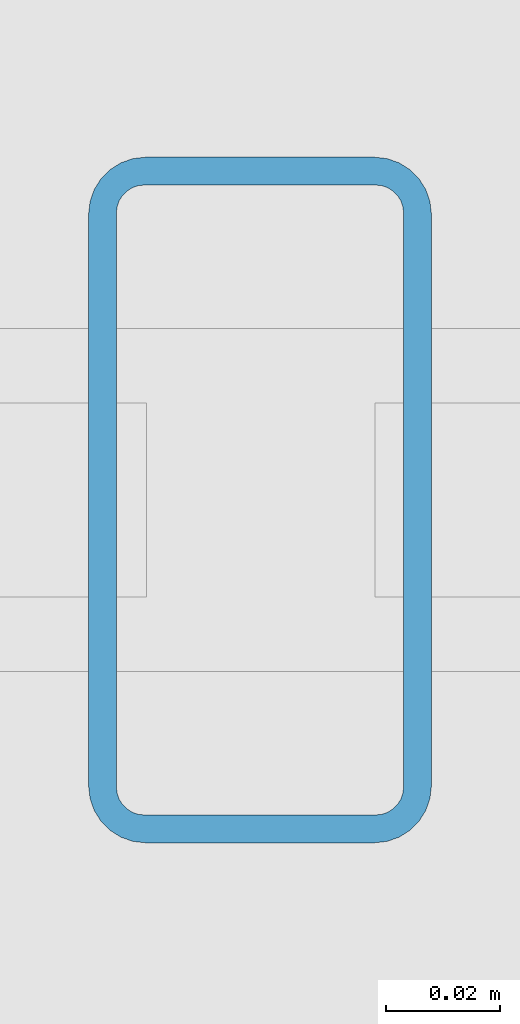
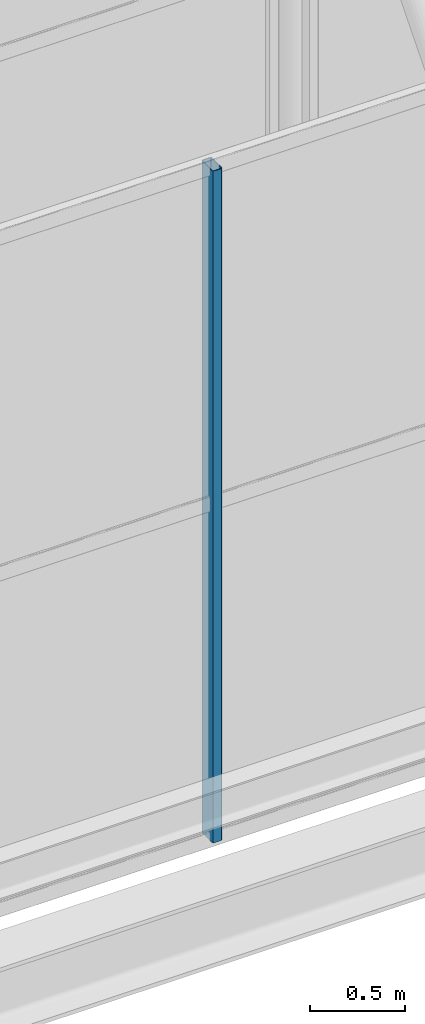
# One storey, part 13 of 77: 1 member, 1 element without a shape of its own.
"""IFC4 building model written with IfcOpenShell, lengths in metres."""

from ifc_helpers import new_model, si_unit, derived_unit, direction, frame, origin, origin_2d, place, context, subcontext, project, spatial, hollow_rectangle, extrude, material, material_profile, profile_set, type_object, element, aggregate, save


model = new_model("IFC4")

# Units and contexts
model_context = context("Model", 3, precision=1e-05, world=origin(), true_north=direction((0.0, 1.0)))
body_context = subcontext(model_context, "Body", "Model", "MODEL_VIEW")
ifc_project = project(units=[si_unit("LENGTHUNIT", "METRE"), si_unit("AREAUNIT", "SQUARE_METRE"), si_unit("VOLUMEUNIT", "CUBIC_METRE"), si_unit("PLANEANGLEUNIT", "RADIAN"), si_unit("MASSUNIT", "GRAM", prefix="KILO"), derived_unit("THERMALTRANSMITTANCEUNIT", [(si_unit("MASSUNIT", "GRAM", prefix="KILO"), 1), (si_unit("TIMEUNIT", "SECOND"), -3), (si_unit("THERMODYNAMICTEMPERATUREUNIT", "KELVIN"), -1)])], contexts=[model_context])

# Site, building, storey
site_placement = place(None, origin())
site = spatial("IfcSite", under=ifc_project, at=site_placement, CompositionType="ELEMENT")
building_placement = place(site_placement, origin())
building = spatial("IfcBuilding", under=site, at=building_placement, Name="Kharveza Railside Sports Centre", CompositionType="ELEMENT")
storey_placement = place(building_placement, frame((0.0, 0.0, 17.10009765625)))
storey = spatial("IfcBuildingStorey", under=building, at=storey_placement, Name="L04", CompositionType="ELEMENT", Elevation=17.10009765625)

# Curtain wall, member
ifc_material_1 = material(Name="Low-E solar-control laminated glass", Category="glass")
curtain_wall_type = type_object("IfcCurtainWallType", Name="CW-NL01", PredefinedType="NOTDEFINED", material=ifc_material_1)
curtain_wall_placement = place(storey_placement, origin())
curtain_wall = element("IfcCurtainWall", 1, at=curtain_wall_placement, inside=storey, type_object=curtain_wall_type, Name="CW-V1NL-2-3", PredefinedType="NOTDEFINED")
ifc_material_2 = material(Name="Anodised aluminium 6063-T6", Category="aluminium")
ifc_material_profile = material_profile(ifc_material_2, hollow_rectangle(XDim=0.06005859375, YDim=0.1201171875, WallThickness=0.0048828125, InnerFilletRadius=0.0048828125, OuterFilletRadius=0.010009765625, at=origin_2d()), Name="RHS 60x120x5.0")
ifc_profile_set = profile_set([ifc_material_profile], Name="Anodised aluminium 6063-T6")
member_type = type_object("IfcMemberType", Name="CW-ML05", PredefinedType="MULLION", material=ifc_profile_set)
member_placement = place(storey_placement, frame((55.9599609375, 44.228515625, -0.550048828125), z_axis=(0.0, 0.0, 1.0), x_axis=(1.0, 0.0, 0.0)))
member = element("IfcMember", 2, at=member_placement, type_object=member_type, Name="CW-V1NL-2-3-ML3", PredefinedType="MULLION", context=body_context, shape_type="SweptSolid", body=[
    extrude(hollow_rectangle(XDim=0.06005859375, YDim=0.1201171875, WallThickness=0.0048828125, InnerFilletRadius=0.0048828125, OuterFilletRadius=0.010009765625, at=origin_2d()), origin(), (0.0, 0.0, 1.0), 4.300048828125),
])
aggregate(curtain_wall, [member])

save(model, "model.ifc")
